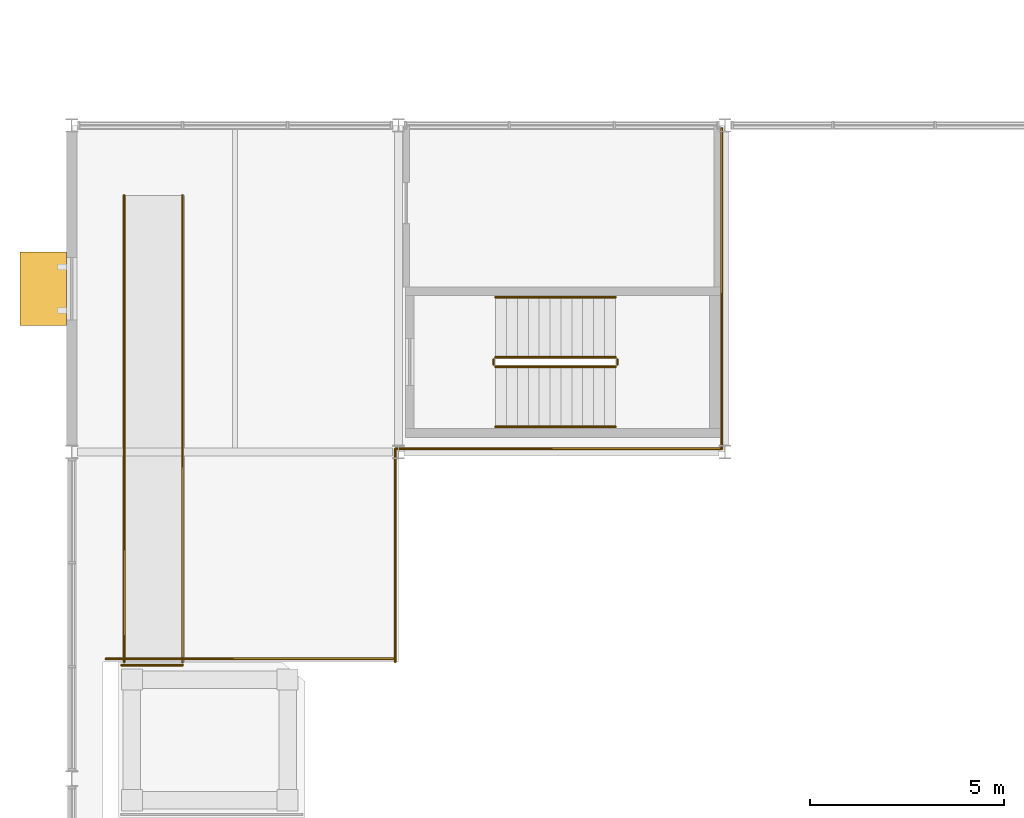
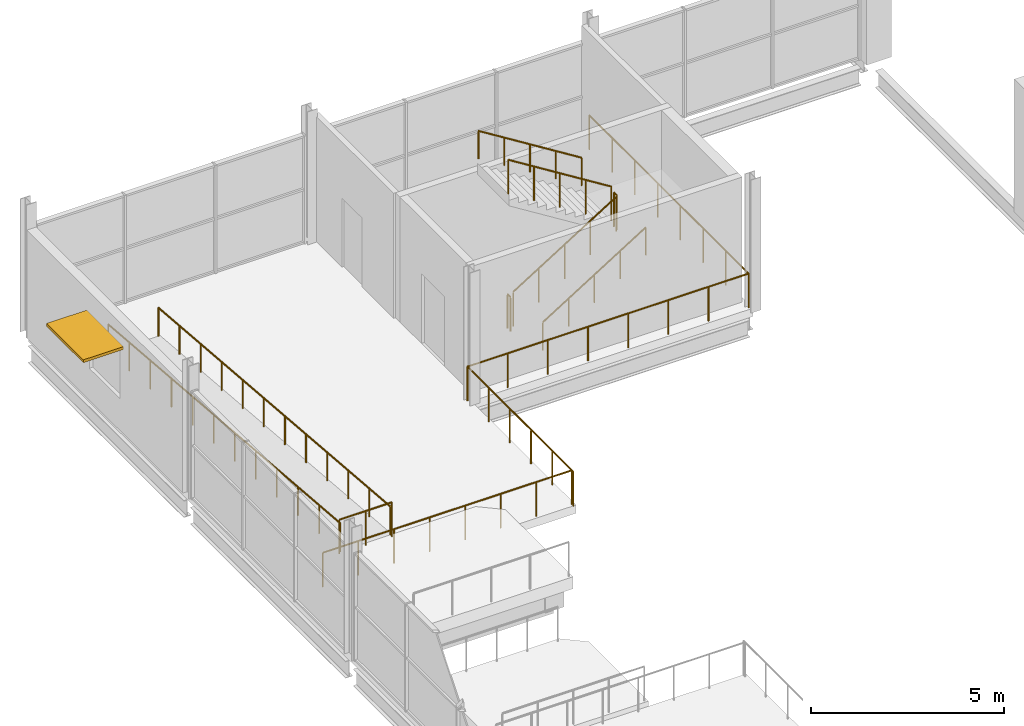
# One storey, part 87 of 93: 13 railings, 1 shading device.
"""IFC4 building model written with IfcOpenShell, lengths in metres."""

from ifc_helpers import new_model, si_unit, direction, frame, origin, origin_2d, place, context, subcontext, project, spatial, rectangle, circle, extrude, material, layer, layer_set, type_object, element, save


model = new_model("IFC4")

# Units and contexts
model_context = context("Model", 3, precision=1e-05, world=origin(), true_north=direction((0.0, 1.0)))
body_context = subcontext(model_context, "Body", "Model", "MODEL_VIEW")
ifc_project = project(units=[si_unit("LENGTHUNIT", "METRE"), si_unit("AREAUNIT", "SQUARE_METRE"), si_unit("VOLUMEUNIT", "CUBIC_METRE"), si_unit("PLANEANGLEUNIT", "RADIAN"), si_unit("MASSUNIT", "GRAM", prefix="KILO"), si_unit("THERMODYNAMICTEMPERATUREUNIT", "KELVIN")], contexts=[model_context])

# Site, building, storey
site_placement = place(None, origin())
site = spatial("IfcSite", under=ifc_project, at=site_placement, CompositionType="ELEMENT")
building_placement = place(site_placement, origin())
building = spatial("IfcBuilding", under=site, at=building_placement, Name="Nduvali Passage Aquatics Centre", CompositionType="ELEMENT")
storey_placement = place(building_placement, frame((0.0, 0.0, 9.0)))
storey = spatial("IfcBuildingStorey", under=building, at=storey_placement, Name="L02", CompositionType="ELEMENT", Elevation=9.0)

# Shading device
ifc_material_1 = material(Name="Aluminium EN AW-6063 T6", Category="aluminium")
ifc_layer = layer(ifc_material_1, 0.090087890625, Name="Aluminium EN AW-6063 T6")
ifc_layer_set = layer_set([ifc_layer], Name="Aluminium EN AW-6063 T6")
shading_device_type = type_object("IfcShadingDeviceType", Name="ENV-SHD-SUN1", PredefinedType="AWNING", material=ifc_layer_set)
shading_device_placement = place(storey_placement, frame((-0.72998046875, 79.800048828125, 2.65478515625), z_axis=(0.0, 0.0, 1.0), x_axis=(0.0, -1.0, 0.0)))
element("IfcShadingDevice", 1, at=shading_device_placement, inside=storey, type_object=shading_device_type, Name="L02 Horizontal Monsoon Sunshade 0065", PredefinedType="AWNING", context=body_context, shape_type="SweptSolid", body=[
    extrude(rectangle(XDim=1.89990234375, YDim=1.199951171875, at=origin_2d()), origin(), (0.0, 0.0, 1.0), 0.090087890625),
])

# Railings
ifc_material_2 = material(Name="Stainless steel balustrade", Category="steel")
railing_type_1 = type_object("IfcRailingType", Name="INT-RLG-GRD110", PredefinedType="GUARDRAIL", material=ifc_material_2)
railing_1_placement = place(storey_placement, frame((10.89990234375, 77.7900390625, 0.175048828125)))
element("IfcRailing", 2, at=railing_1_placement, inside=storey, type_object=railing_type_1, Name="L02 ST12 stair guard 1", PredefinedType="GUARDRAIL", context=body_context, shape_type="SweptSolid", body=[
    extrude(circle(Radius=0.02392578125, at=origin_2d()), frame((0.0, 0.0, 1.076171875), z_axis=(0.847998304005, 0.0, 0.529998940003), x_axis=(0.0, 1.0, 0.0)), (0.0, 0.0, 1.0), 3.632080078125),
    extrude(circle(Radius=0.02099609375, at=origin_2d()), origin(), (0.0, 0.0, 1.0), 1.052001953125),
    extrude(circle(Radius=0.02099609375, at=origin_2d()), frame((0.77001953125, 0.0, 0.481201171875)), (0.0, 0.0, 1.0), 1.052001953125),
    extrude(circle(Radius=0.02099609375, at=origin_2d()), frame((1.5400390625, 0.0, 0.96240234375)), (0.0, 0.0, 1.0), 1.052001953125),
    extrude(circle(Radius=0.02099609375, at=origin_2d()), frame((2.31005859375, 0.0, 1.44384765625)), (0.0, 0.0, 1.0), 1.052001953125),
    extrude(circle(Radius=0.02099609375, at=origin_2d()), frame((3.080078125, 0.0, 1.925048828125)), (0.0, 0.0, 1.0), 1.052001953125),
])
railing_2_placement = place(storey_placement, frame((14.030029296875, 77.840087890625, 2.10009765625)))
element("IfcRailing", 3, at=railing_2_placement, inside=storey, type_object=railing_type_1, Name="L02 ST12 stair guard 2", PredefinedType="GUARDRAIL", context=body_context, shape_type="SweptSolid", body=[
    extrude(circle(Radius=0.02392578125, at=origin_2d()), frame((0.0, 0.0, 1.076171875), z_axis=(0.0, 1.0, 0.0), x_axis=(-1.0, 0.0, 0.0)), (0.0, 0.0, 1.0), 0.14990234375),
    extrude(circle(Radius=0.02099609375, at=origin_2d()), origin(), (0.0, 0.0, 1.0), 1.052001953125),
    extrude(circle(Radius=0.02099609375, at=origin_2d()), frame((0.0, 0.14990234375, 0.0)), (0.0, 0.0, 1.0), 1.052001953125),
])
railing_3_placement = place(storey_placement, frame((13.97998046875, 78.0400390625, 2.27490234375)))
element("IfcRailing", 4, at=railing_3_placement, inside=storey, type_object=railing_type_1, Name="L02 ST12 stair guard 3", PredefinedType="GUARDRAIL", context=body_context, shape_type="SweptSolid", body=[
    extrude(circle(Radius=0.02392578125, at=origin_2d()), frame((0.0, 0.0, 1.076171875), z_axis=(-0.847998304005, 0.0, 0.529998940003), x_axis=(0.0, -1.0, 0.0)), (0.0, 0.0, 1.0), 3.632080078125),
    extrude(circle(Radius=0.02099609375, at=origin_2d()), origin(), (0.0, 0.0, 1.0), 1.052001953125),
    extrude(circle(Radius=0.02099609375, at=origin_2d()), frame((-0.77001953125, 0.0, 0.481201171875)), (0.0, 0.0, 1.0), 1.052001953125),
    extrude(circle(Radius=0.02099609375, at=origin_2d()), frame((-1.5400390625, 0.0, 0.96240234375)), (0.0, 0.0, 1.0), 1.052001953125),
    extrude(circle(Radius=0.02099609375, at=origin_2d()), frame((-2.31005859375, 0.0, 1.44384765625)), (0.0, 0.0, 1.0), 1.052001953125),
    extrude(circle(Radius=0.02099609375, at=origin_2d()), frame((-3.080078125, 0.0, 1.925048828125)), (0.0, 0.0, 1.0), 1.052001953125),
])
railing_4_placement = place(storey_placement, frame((10.85009765625, 77.840087890625, 0.0)))
element("IfcRailing", 5, at=railing_4_placement, inside=storey, type_object=railing_type_1, Name="L02 ST12 stair guard 4", PredefinedType="GUARDRAIL", context=body_context, shape_type="SweptSolid", body=[
    extrude(circle(Radius=0.02392578125, at=origin_2d()), frame((0.0, 0.0, 1.076171875), z_axis=(0.0, 1.0, 0.0), x_axis=(-1.0, 0.0, 0.0)), (0.0, 0.0, 1.0), 0.14990234375),
    extrude(circle(Radius=0.02099609375, at=origin_2d()), origin(), (0.0, 0.0, 1.0), 1.052001953125),
    extrude(circle(Radius=0.02099609375, at=origin_2d()), frame((0.0, 0.14990234375, 0.0)), (0.0, 0.0, 1.0), 1.052001953125),
])
railing_5_placement = place(storey_placement, frame((0.8798828125, 70.280029296875, 0.0)))
element("IfcRailing", 6, at=railing_5_placement, inside=storey, type_object=railing_type_1, Name="L02 Diving Gallery Cutout North Guard", PredefinedType="GUARDRAIL", context=body_context, shape_type="SweptSolid", body=[
    extrude(circle(Radius=0.02392578125, at=origin_2d()), frame((0.0, 0.0, 1.076171875), z_axis=(1.0, 0.0, 0.0), x_axis=(0.0, 1.0, 0.0)), (0.0, 0.0, 1.0), 7.440185546875),
    extrude(circle(Radius=0.02099609375, at=origin_2d()), origin(), (0.0, 0.0, 1.0), 1.052001953125),
    extrude(circle(Radius=0.02099609375, at=origin_2d()), frame((1.06298828125, 0.0, 0.0)), (0.0, 0.0, 1.0), 1.052001953125),
    extrude(circle(Radius=0.02099609375, at=origin_2d()), frame((2.125732421875, 0.0, 0.0)), (0.0, 0.0, 1.0), 1.052001953125),
    extrude(circle(Radius=0.02099609375, at=origin_2d()), frame((3.188720703125, 0.0, 0.0)), (0.0, 0.0, 1.0), 1.052001953125),
    extrude(circle(Radius=0.02099609375, at=origin_2d()), frame((4.25146484375, 0.0, 0.0)), (0.0, 0.0, 1.0), 1.052001953125),
    extrude(circle(Radius=0.02099609375, at=origin_2d()), frame((5.314453125, 0.0, 0.0)), (0.0, 0.0, 1.0), 1.052001953125),
    extrude(circle(Radius=0.02099609375, at=origin_2d()), frame((6.377197265625, 0.0, 0.0)), (0.0, 0.0, 1.0), 1.052001953125),
    extrude(circle(Radius=0.02099609375, at=origin_2d()), frame((7.440185546875, 0.0, 0.0)), (0.0, 0.0, 1.0), 1.052001953125),
])
railing_6_placement = place(storey_placement, frame((8.320068359375, 70.199951171875, 0.0)))
element("IfcRailing", 7, at=railing_6_placement, inside=storey, type_object=railing_type_1, Name="L02 Diving Gallery North Balustrade", PredefinedType="GUARDRAIL", context=body_context, shape_type="SweptSolid", body=[
    extrude(circle(Radius=0.02392578125, at=origin_2d()), frame((0.0, 0.0, 1.076171875), z_axis=(0.0, 1.0, 0.0), x_axis=(-1.0, 0.0, 0.0)), (0.0, 0.0, 1.0), 5.47998046875),
    extrude(circle(Radius=0.02099609375, at=origin_2d()), origin(), (0.0, 0.0, 1.0), 1.052001953125),
    extrude(circle(Radius=0.02099609375, at=origin_2d()), frame((0.0, 1.095947265625, 0.0)), (0.0, 0.0, 1.0), 1.052001953125),
    extrude(circle(Radius=0.02099609375, at=origin_2d()), frame((0.0, 2.19189453125, 0.0)), (0.0, 0.0, 1.0), 1.052001953125),
    extrude(circle(Radius=0.02099609375, at=origin_2d()), frame((0.0, 3.2880859375, 0.0)), (0.0, 0.0, 1.0), 1.052001953125),
    extrude(circle(Radius=0.02099609375, at=origin_2d()), frame((0.0, 4.384033203125, 0.0)), (0.0, 0.0, 1.0), 1.052001953125),
    extrude(circle(Radius=0.02099609375, at=origin_2d()), frame((0.0, 5.47998046875, 0.0)), (0.0, 0.0, 1.0), 1.052001953125),
])
railing_7_placement = place(storey_placement, frame((8.320068359375, 75.679931640625, 0.0)))
element("IfcRailing", 8, at=railing_7_placement, inside=storey, type_object=railing_type_1, Name="L02 Diving North Wing Balustrade", PredefinedType="GUARDRAIL", context=body_context, shape_type="SweptSolid", body=[
    extrude(circle(Radius=0.02392578125, at=origin_2d()), frame((0.0, 0.0, 1.076171875), z_axis=(1.0, 0.0, 0.0), x_axis=(0.0, 1.0, 0.0)), (0.0, 0.0, 1.0), 8.39990234375),
    extrude(circle(Radius=0.02099609375, at=origin_2d()), origin(), (0.0, 0.0, 1.0), 1.052001953125),
    extrude(circle(Radius=0.02099609375, at=origin_2d()), frame((1.199951171875, 0.0, 0.0)), (0.0, 0.0, 1.0), 1.052001953125),
    extrude(circle(Radius=0.02099609375, at=origin_2d()), frame((2.39990234375, 0.0, 0.0)), (0.0, 0.0, 1.0), 1.052001953125),
    extrude(circle(Radius=0.02099609375, at=origin_2d()), frame((3.599853515625, 0.0, 0.0)), (0.0, 0.0, 1.0), 1.052001953125),
    extrude(circle(Radius=0.02099609375, at=origin_2d()), frame((4.800048828125, 0.0, 0.0)), (0.0, 0.0, 1.0), 1.052001953125),
    extrude(circle(Radius=0.02099609375, at=origin_2d()), frame((6.0, 0.0, 0.0)), (0.0, 0.0, 1.0), 1.052001953125),
    extrude(circle(Radius=0.02099609375, at=origin_2d()), frame((7.199951171875, 0.0, 0.0)), (0.0, 0.0, 1.0), 1.052001953125),
    extrude(circle(Radius=0.02099609375, at=origin_2d()), frame((8.39990234375, 0.0, 0.0)), (0.0, 0.0, 1.0), 1.052001953125),
])
railing_8_placement = place(storey_placement, frame((16.719970703125, 75.679931640625, 0.0)))
element("IfcRailing", 9, at=railing_8_placement, inside=storey, type_object=railing_type_1, Name="L02 Diving North-East Gallery End Guard", PredefinedType="GUARDRAIL", context=body_context, shape_type="SweptSolid", body=[
    extrude(circle(Radius=0.02392578125, at=origin_2d()), frame((0.0, 0.0, 1.076171875), z_axis=(0.0, 1.0, 0.0), x_axis=(-1.0, 0.0, 0.0)), (0.0, 0.0, 1.0), 8.239990234375),
    extrude(circle(Radius=0.02099609375, at=origin_2d()), origin(), (0.0, 0.0, 1.0), 1.052001953125),
    extrude(circle(Radius=0.02099609375, at=origin_2d()), frame((0.0, 1.17724609375, 0.0)), (0.0, 0.0, 1.0), 1.052001953125),
    extrude(circle(Radius=0.02099609375, at=origin_2d()), frame((0.0, 2.354248046875, 0.0)), (0.0, 0.0, 1.0), 1.052001953125),
    extrude(circle(Radius=0.02099609375, at=origin_2d()), frame((0.0, 3.531494140625, 0.0)), (0.0, 0.0, 1.0), 1.052001953125),
    extrude(circle(Radius=0.02099609375, at=origin_2d()), frame((0.0, 4.70849609375, 0.0)), (0.0, 0.0, 1.0), 1.052001953125),
    extrude(circle(Radius=0.02099609375, at=origin_2d()), frame((0.0, 5.8857421875, 0.0)), (0.0, 0.0, 1.0), 1.052001953125),
    extrude(circle(Radius=0.02099609375, at=origin_2d()), frame((0.0, 7.062744140625, 0.0)), (0.0, 0.0, 1.0), 1.052001953125),
    extrude(circle(Radius=0.02099609375, at=origin_2d()), frame((0.0, 8.239990234375, 0.0)), (0.0, 0.0, 1.0), 1.052001953125),
])
railing_9_placement = place(storey_placement, frame((1.280029296875, 70.1201171875, 1.0)))
element("IfcRailing", 10, at=railing_9_placement, inside=storey, type_object=railing_type_1, Name="Diving 10m Platform North Guard", PredefinedType="GUARDRAIL", context=body_context, shape_type="SweptSolid", body=[
    extrude(circle(Radius=0.02392578125, at=origin_2d()), frame((0.0, 0.0, 1.076171875), z_axis=(1.0, 0.0, 0.0), x_axis=(0.0, 1.0, 0.0)), (0.0, 0.0, 1.0), 1.570068359375),
    extrude(circle(Radius=0.02099609375, at=origin_2d()), origin(), (0.0, 0.0, 1.0), 1.052001953125),
    extrude(circle(Radius=0.02099609375, at=origin_2d()), frame((0.78515625, 0.0, 0.0)), (0.0, 0.0, 1.0), 1.052001953125),
    extrude(circle(Radius=0.02099609375, at=origin_2d()), frame((1.570068359375, 0.0, 0.0)), (0.0, 0.0, 1.0), 1.052001953125),
])
railing_type_2 = type_object("IfcRailingType", Name="INT-RLG-HND90", PredefinedType="HANDRAIL", material=ifc_material_2)
railing_10_placement = place(storey_placement, frame((10.89990234375, 76.25, 0.353759765625)))
element("IfcRailing", 11, at=railing_10_placement, inside=storey, type_object=railing_type_2, Name="L02 ST12 stair handrail 1", PredefinedType="HANDRAIL", context=body_context, shape_type="SweptSolid", body=[
    extrude(circle(Radius=0.02392578125, at=origin_2d()), frame((0.0, 0.0, 0.8759765625), z_axis=(0.848028513186, 0.0, 0.529950602248), x_axis=(0.0, 1.0, 0.0)), (0.0, 0.0, 1.0), 3.632080078125),
    extrude(circle(Radius=0.02099609375, at=origin_2d()), origin(), (0.0, 0.0, 1.0), 0.851806640625),
    extrude(circle(Radius=0.02099609375, at=origin_2d()), frame((0.77001953125, 0.0, 0.481201171875)), (0.0, 0.0, 1.0), 0.851806640625),
    extrude(circle(Radius=0.02099609375, at=origin_2d()), frame((1.5400390625, 0.0, 0.96240234375)), (0.0, 0.0, 1.0), 0.851806640625),
    extrude(circle(Radius=0.02099609375, at=origin_2d()), frame((2.31005859375, 0.0, 1.443603515625)), (0.0, 0.0, 1.0), 0.851806640625),
    extrude(circle(Radius=0.02099609375, at=origin_2d()), frame((3.080078125, 0.0, 1.9248046875)), (0.0, 0.0, 1.0), 0.851806640625),
])
railing_11_placement = place(storey_placement, frame((13.97998046875, 79.580078125, 2.45361328125)))
element("IfcRailing", 12, at=railing_11_placement, inside=storey, type_object=railing_type_2, Name="L02 ST12 stair handrail 2", PredefinedType="HANDRAIL", context=body_context, shape_type="SweptSolid", body=[
    extrude(circle(Radius=0.02392578125, at=origin_2d()), frame((0.0, 0.0, 0.8759765625), z_axis=(-0.847998304005, 0.0, 0.529998940003), x_axis=(0.0, -1.0, 0.0)), (0.0, 0.0, 1.0), 3.632080078125),
    extrude(circle(Radius=0.02099609375, at=origin_2d()), origin(), (0.0, 0.0, 1.0), 0.851806640625),
    extrude(circle(Radius=0.02099609375, at=origin_2d()), frame((-0.77001953125, 0.0, 0.481201171875)), (0.0, 0.0, 1.0), 0.851806640625),
    extrude(circle(Radius=0.02099609375, at=origin_2d()), frame((-1.5400390625, 0.0, 0.96240234375)), (0.0, 0.0, 1.0), 0.851806640625),
    extrude(circle(Radius=0.02099609375, at=origin_2d()), frame((-2.31005859375, 0.0, 1.44384765625)), (0.0, 0.0, 1.0), 0.851806640625),
    extrude(circle(Radius=0.02099609375, at=origin_2d()), frame((-3.080078125, 0.0, 1.925048828125)), (0.0, 0.0, 1.0), 0.851806640625),
])
railing_12_placement = place(storey_placement, frame((1.35009765625, 82.199951171875, 0.0)))
element("IfcRailing", 13, at=railing_12_placement, inside=storey, type_object=railing_type_2, Name="Diving 10m Platform Accessible Ramp PR8 Handrail 1", PredefinedType="HANDRAIL", context=body_context, shape_type="SweptSolid", body=[
    extrude(circle(Radius=0.02392578125, at=origin_2d()), frame((0.0, 0.0, 0.89599609375), z_axis=(0.0, -0.996545758245, 0.083045479854), x_axis=(1.0, 0.0, 0.0)), (0.0, 0.0, 1.0), 12.04150390625),
    extrude(circle(Radius=0.02099609375, at=origin_2d()), origin(), (0.0, 0.0, 1.0), 0.871826171875),
    extrude(circle(Radius=0.02099609375, at=origin_2d()), frame((0.0, -1.0908203125, 0.0908203125)), (0.0, 0.0, 1.0), 0.871826171875),
    extrude(circle(Radius=0.02099609375, at=origin_2d()), frame((0.0, -2.181884765625, 0.181884765625)), (0.0, 0.0, 1.0), 0.871826171875),
    extrude(circle(Radius=0.02099609375, at=origin_2d()), frame((0.0, -3.272705078125, 0.272705078125)), (0.0, 0.0, 1.0), 0.871826171875),
    extrude(circle(Radius=0.02099609375, at=origin_2d()), frame((0.0, -4.363525390625, 0.363525390625)), (0.0, 0.0, 1.0), 0.871826171875),
    extrude(circle(Radius=0.02099609375, at=origin_2d()), frame((0.0, -5.45458984375, 0.45458984375)), (0.0, 0.0, 1.0), 0.871826171875),
    extrude(circle(Radius=0.02099609375, at=origin_2d()), frame((0.0, -6.54541015625, 0.54541015625)), (0.0, 0.0, 1.0), 0.871826171875),
    extrude(circle(Radius=0.02099609375, at=origin_2d()), frame((0.0, -7.636474609375, 0.636474609375)), (0.0, 0.0, 1.0), 0.871826171875),
    extrude(circle(Radius=0.02099609375, at=origin_2d()), frame((0.0, -8.727294921875, 0.727294921875)), (0.0, 0.0, 1.0), 0.871826171875),
    extrude(circle(Radius=0.02099609375, at=origin_2d()), frame((0.0, -9.818115234375, 0.818115234375)), (0.0, 0.0, 1.0), 0.871826171875),
    extrude(circle(Radius=0.02099609375, at=origin_2d()), frame((0.0, -10.9091796875, 0.9091796875)), (0.0, 0.0, 1.0), 0.871826171875),
    extrude(circle(Radius=0.02099609375, at=origin_2d()), frame((0.0, -12.0, 1.0)), (0.0, 0.0, 1.0), 0.871826171875),
])
railing_13_placement = place(storey_placement, frame((2.85009765625, 82.199951171875, 0.0)))
element("IfcRailing", 14, at=railing_13_placement, inside=storey, type_object=railing_type_2, Name="Diving 10m Platform Accessible Ramp PR8 Handrail 2", PredefinedType="HANDRAIL", context=body_context, shape_type="SweptSolid", body=[
    extrude(circle(Radius=0.02392578125, at=origin_2d()), frame((0.0, 0.0, 0.89599609375), z_axis=(0.0, -0.996545758245, 0.083045479854), x_axis=(1.0, 0.0, 0.0)), (0.0, 0.0, 1.0), 12.04150390625),
    extrude(circle(Radius=0.02099609375, at=origin_2d()), origin(), (0.0, 0.0, 1.0), 0.871826171875),
    extrude(circle(Radius=0.02099609375, at=origin_2d()), frame((0.0, -1.0908203125, 0.0908203125)), (0.0, 0.0, 1.0), 0.871826171875),
    extrude(circle(Radius=0.02099609375, at=origin_2d()), frame((0.0, -2.181884765625, 0.181884765625)), (0.0, 0.0, 1.0), 0.871826171875),
    extrude(circle(Radius=0.02099609375, at=origin_2d()), frame((0.0, -3.272705078125, 0.272705078125)), (0.0, 0.0, 1.0), 0.871826171875),
    extrude(circle(Radius=0.02099609375, at=origin_2d()), frame((0.0, -4.363525390625, 0.363525390625)), (0.0, 0.0, 1.0), 0.871826171875),
    extrude(circle(Radius=0.02099609375, at=origin_2d()), frame((0.0, -5.45458984375, 0.45458984375)), (0.0, 0.0, 1.0), 0.871826171875),
    extrude(circle(Radius=0.02099609375, at=origin_2d()), frame((0.0, -6.54541015625, 0.54541015625)), (0.0, 0.0, 1.0), 0.871826171875),
    extrude(circle(Radius=0.02099609375, at=origin_2d()), frame((0.0, -7.636474609375, 0.636474609375)), (0.0, 0.0, 1.0), 0.871826171875),
    extrude(circle(Radius=0.02099609375, at=origin_2d()), frame((0.0, -8.727294921875, 0.727294921875)), (0.0, 0.0, 1.0), 0.871826171875),
    extrude(circle(Radius=0.02099609375, at=origin_2d()), frame((0.0, -9.818115234375, 0.818115234375)), (0.0, 0.0, 1.0), 0.871826171875),
    extrude(circle(Radius=0.02099609375, at=origin_2d()), frame((0.0, -10.9091796875, 0.9091796875)), (0.0, 0.0, 1.0), 0.871826171875),
    extrude(circle(Radius=0.02099609375, at=origin_2d()), frame((0.0, -12.0, 1.0)), (0.0, 0.0, 1.0), 0.871826171875),
])

save(model, "model.ifc")
